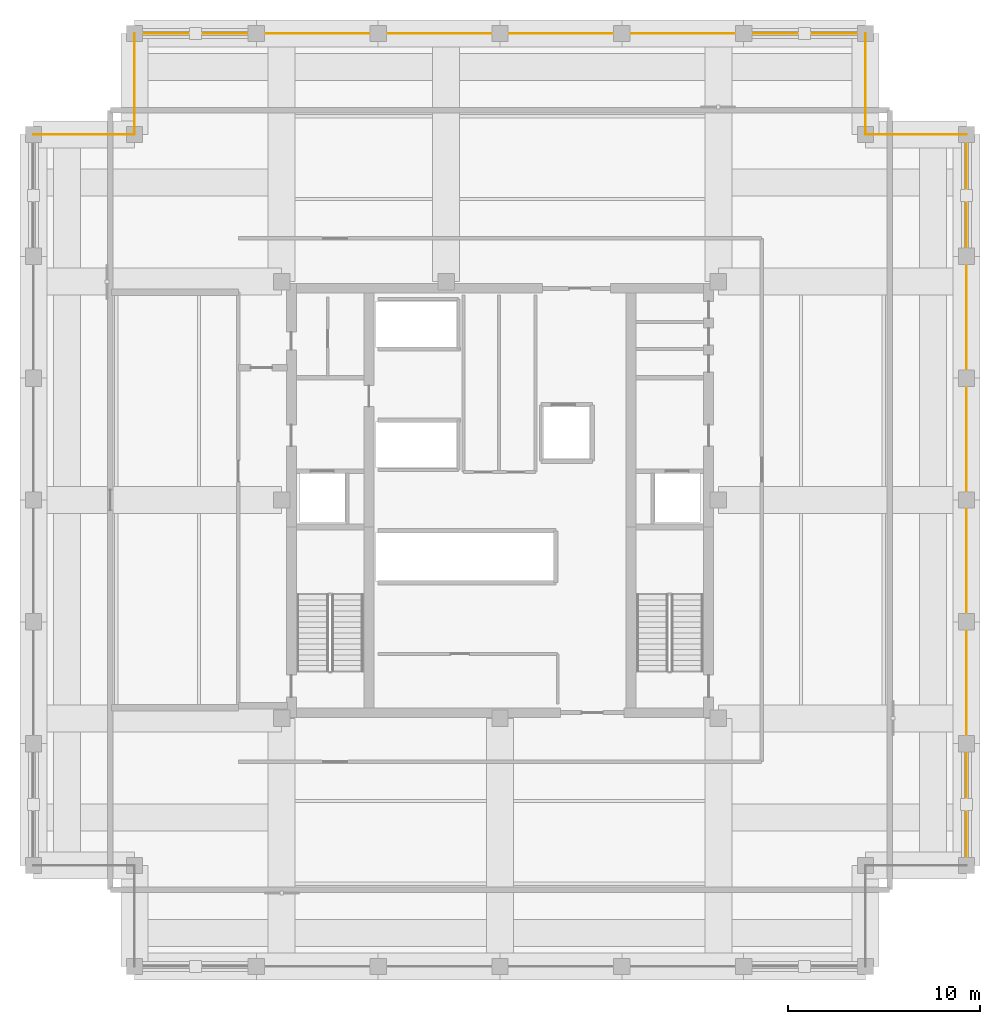
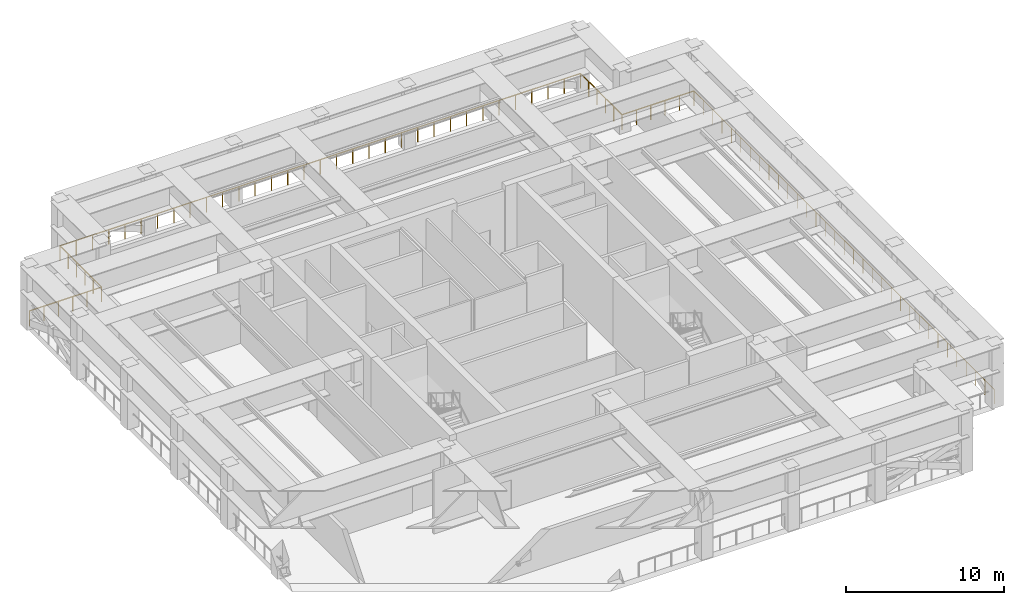
# One storey, part 10 of 10: 6 railings.
"""IFC4 building model written with IfcOpenShell, lengths in metres."""

from ifc_helpers import new_model, si_unit, direction, frame, origin, origin_2d, place, context, subcontext, project, spatial, circle, extrude, material, type_object, element, save


model = new_model("IFC4")

# Units and contexts
model_context = context("Model", 3, precision=1e-05, world=origin(), true_north=direction((0.0, 1.0)))
body_context = subcontext(model_context, "Body", "Model", "MODEL_VIEW")
ifc_project = project(units=[si_unit("LENGTHUNIT", "METRE"), si_unit("AREAUNIT", "SQUARE_METRE"), si_unit("VOLUMEUNIT", "CUBIC_METRE"), si_unit("PLANEANGLEUNIT", "RADIAN"), si_unit("MASSUNIT", "GRAM", prefix="KILO")], contexts=[model_context])

# Site, building, storey
site_placement = place(None, origin())
site = spatial("IfcSite", under=ifc_project, at=site_placement, CompositionType="ELEMENT")
building_placement = place(site_placement, origin())
building = spatial("IfcBuilding", under=site, at=building_placement, Name="Nhamokura Convention Tower", CompositionType="ELEMENT")
storey_placement = place(building_placement, frame((0.0, 0.0, 252.35009765625)))
storey = spatial("IfcBuildingStorey", under=building, at=storey_placement, Name="L62", CompositionType="ELEMENT", Elevation=252.35009765625)

# Railings
ifc_material = material(Name="Anodised bronze stainless steel", Category="steel")
railing_type = type_object("IfcRailingType", Name="TerraceGuardrail_1150", PredefinedType="GUARDRAIL", material=ifc_material)
railing_1_placement = place(storey_placement, frame((56.25, 13.0, 0.0)))
element("IfcRailing", 1, at=railing_1_placement, inside=storey, type_object=railing_type, Name="L62 Perimeter Guardrail 04", PredefinedType="GUARDRAIL", context=body_context, shape_type="SweptSolid", body=[
    extrude(circle(Radius=0.02392578125, at=origin_2d()), frame((0.0, 0.0, 1.1259765625), z_axis=(0.0, 1.0, 0.0), x_axis=(-1.0, 0.0, 0.0)), (0.0, 0.0, 1.0), 38.0),
    extrude(circle(Radius=0.02099609375, at=origin_2d()), origin(), (0.0, 0.0, 1.0), 1.101806640625),
    extrude(circle(Radius=0.02099609375, at=origin_2d()), frame((0.0, 1.1875, 0.0)), (0.0, 0.0, 1.0), 1.101806640625),
    extrude(circle(Radius=0.02099609375, at=origin_2d()), frame((0.0, 2.375, 0.0)), (0.0, 0.0, 1.0), 1.101806640625),
    extrude(circle(Radius=0.02099609375, at=origin_2d()), frame((0.0, 3.5625, 0.0)), (0.0, 0.0, 1.0), 1.101806640625),
    extrude(circle(Radius=0.02099609375, at=origin_2d()), frame((0.0, 4.75, 0.0)), (0.0, 0.0, 1.0), 1.101806640625),
    extrude(circle(Radius=0.02099609375, at=origin_2d()), frame((0.0, 5.9375, 0.0)), (0.0, 0.0, 1.0), 1.101806640625),
    extrude(circle(Radius=0.02099609375, at=origin_2d()), frame((0.0, 7.125, 0.0)), (0.0, 0.0, 1.0), 1.101806640625),
    extrude(circle(Radius=0.02099609375, at=origin_2d()), frame((0.0, 8.3125, 0.0)), (0.0, 0.0, 1.0), 1.101806640625),
    extrude(circle(Radius=0.02099609375, at=origin_2d()), frame((0.0, 9.5, 0.0)), (0.0, 0.0, 1.0), 1.101806640625),
    extrude(circle(Radius=0.02099609375, at=origin_2d()), frame((0.0, 10.6875, 0.0)), (0.0, 0.0, 1.0), 1.101806640625),
    extrude(circle(Radius=0.02099609375, at=origin_2d()), frame((0.0, 11.875, 0.0)), (0.0, 0.0, 1.0), 1.101806640625),
    extrude(circle(Radius=0.02099609375, at=origin_2d()), frame((0.0, 13.0625, 0.0)), (0.0, 0.0, 1.0), 1.101806640625),
    extrude(circle(Radius=0.02099609375, at=origin_2d()), frame((0.0, 14.25, 0.0)), (0.0, 0.0, 1.0), 1.101806640625),
    extrude(circle(Radius=0.02099609375, at=origin_2d()), frame((0.0, 15.4375, 0.0)), (0.0, 0.0, 1.0), 1.101806640625),
    extrude(circle(Radius=0.02099609375, at=origin_2d()), frame((0.0, 16.625, 0.0)), (0.0, 0.0, 1.0), 1.101806640625),
    extrude(circle(Radius=0.02099609375, at=origin_2d()), frame((0.0, 17.8125, 0.0)), (0.0, 0.0, 1.0), 1.101806640625),
    extrude(circle(Radius=0.02099609375, at=origin_2d()), frame((0.0, 19.0, 0.0)), (0.0, 0.0, 1.0), 1.101806640625),
    extrude(circle(Radius=0.02099609375, at=origin_2d()), frame((0.0, 20.1875, 0.0)), (0.0, 0.0, 1.0), 1.101806640625),
    extrude(circle(Radius=0.02099609375, at=origin_2d()), frame((0.0, 21.375, 0.0)), (0.0, 0.0, 1.0), 1.101806640625),
    extrude(circle(Radius=0.02099609375, at=origin_2d()), frame((0.0, 22.5625, 0.0)), (0.0, 0.0, 1.0), 1.101806640625),
    extrude(circle(Radius=0.02099609375, at=origin_2d()), frame((0.0, 23.75, 0.0)), (0.0, 0.0, 1.0), 1.101806640625),
    extrude(circle(Radius=0.02099609375, at=origin_2d()), frame((0.0, 24.9375, 0.0)), (0.0, 0.0, 1.0), 1.101806640625),
    extrude(circle(Radius=0.02099609375, at=origin_2d()), frame((0.0, 26.125, 0.0)), (0.0, 0.0, 1.0), 1.101806640625),
    extrude(circle(Radius=0.02099609375, at=origin_2d()), frame((0.0, 27.3125, 0.0)), (0.0, 0.0, 1.0), 1.101806640625),
    extrude(circle(Radius=0.02099609375, at=origin_2d()), frame((0.0, 28.5, 0.0)), (0.0, 0.0, 1.0), 1.101806640625),
    extrude(circle(Radius=0.02099609375, at=origin_2d()), frame((0.0, 29.6875, 0.0)), (0.0, 0.0, 1.0), 1.101806640625),
    extrude(circle(Radius=0.02099609375, at=origin_2d()), frame((0.0, 30.875, 0.0)), (0.0, 0.0, 1.0), 1.101806640625),
    extrude(circle(Radius=0.02099609375, at=origin_2d()), frame((0.0, 32.0625, 0.0)), (0.0, 0.0, 1.0), 1.101806640625),
    extrude(circle(Radius=0.02099609375, at=origin_2d()), frame((0.0, 33.25, 0.0)), (0.0, 0.0, 1.0), 1.101806640625),
    extrude(circle(Radius=0.02099609375, at=origin_2d()), frame((0.0, 34.4375, 0.0)), (0.0, 0.0, 1.0), 1.101806640625),
    extrude(circle(Radius=0.02099609375, at=origin_2d()), frame((0.0, 35.625, 0.0)), (0.0, 0.0, 1.0), 1.101806640625),
    extrude(circle(Radius=0.02099609375, at=origin_2d()), frame((0.0, 36.8125, 0.0)), (0.0, 0.0, 1.0), 1.101806640625),
    extrude(circle(Radius=0.02099609375, at=origin_2d()), frame((0.0, 38.0, 0.0)), (0.0, 0.0, 1.0), 1.101806640625),
])
railing_2_placement = place(storey_placement, frame((56.25, 51.0, 0.0)))
element("IfcRailing", 2, at=railing_2_placement, inside=storey, type_object=railing_type, Name="L62 Perimeter Guardrail 05", PredefinedType="GUARDRAIL", context=body_context, shape_type="SweptSolid", body=[
    extrude(circle(Radius=0.02392578125, at=origin_2d()), frame((0.0, 0.0, 1.1259765625), z_axis=(-1.0, 0.0, 0.0), x_axis=(0.0, -1.0, 0.0)), (0.0, 0.0, 1.0), 5.25),
    extrude(circle(Radius=0.02099609375, at=origin_2d()), origin(), (0.0, 0.0, 1.0), 1.101806640625),
    extrude(circle(Radius=0.02099609375, at=origin_2d()), frame((-1.050048828125, 0.0, 0.0)), (0.0, 0.0, 1.0), 1.101806640625),
    extrude(circle(Radius=0.02099609375, at=origin_2d()), frame((-2.10009765625, 0.0, 0.0)), (0.0, 0.0, 1.0), 1.101806640625),
    extrude(circle(Radius=0.02099609375, at=origin_2d()), frame((-3.14990234375, 0.0, 0.0)), (0.0, 0.0, 1.0), 1.101806640625),
    extrude(circle(Radius=0.02099609375, at=origin_2d()), frame((-4.199951171875, 0.0, 0.0)), (0.0, 0.0, 1.0), 1.101806640625),
    extrude(circle(Radius=0.02099609375, at=origin_2d()), frame((-5.25, 0.0, 0.0)), (0.0, 0.0, 1.0), 1.101806640625),
])
railing_3_placement = place(storey_placement, frame((51.0, 51.0, 0.0)))
element("IfcRailing", 3, at=railing_3_placement, inside=storey, type_object=railing_type, Name="L62 Perimeter Guardrail 06", PredefinedType="GUARDRAIL", context=body_context, shape_type="SweptSolid", body=[
    extrude(circle(Radius=0.02392578125, at=origin_2d()), frame((0.0, 0.0, 1.1259765625), z_axis=(0.0, 1.0, 0.0), x_axis=(-1.0, 0.0, 0.0)), (0.0, 0.0, 1.0), 5.25),
    extrude(circle(Radius=0.02099609375, at=origin_2d()), origin(), (0.0, 0.0, 1.0), 1.101806640625),
    extrude(circle(Radius=0.02099609375, at=origin_2d()), frame((0.0, 1.050048828125, 0.0)), (0.0, 0.0, 1.0), 1.101806640625),
    extrude(circle(Radius=0.02099609375, at=origin_2d()), frame((0.0, 2.10009765625, 0.0)), (0.0, 0.0, 1.0), 1.101806640625),
    extrude(circle(Radius=0.02099609375, at=origin_2d()), frame((0.0, 3.14990234375, 0.0)), (0.0, 0.0, 1.0), 1.101806640625),
    extrude(circle(Radius=0.02099609375, at=origin_2d()), frame((0.0, 4.199951171875, 0.0)), (0.0, 0.0, 1.0), 1.101806640625),
    extrude(circle(Radius=0.02099609375, at=origin_2d()), frame((0.0, 5.25, 0.0)), (0.0, 0.0, 1.0), 1.101806640625),
])
railing_4_placement = place(storey_placement, frame((51.0, 56.25, 0.0)))
element("IfcRailing", 4, at=railing_4_placement, inside=storey, type_object=railing_type, Name="L62 Perimeter Guardrail 07", PredefinedType="GUARDRAIL", context=body_context, shape_type="SweptSolid", body=[
    extrude(circle(Radius=0.02392578125, at=origin_2d()), frame((0.0, 0.0, 1.1259765625), z_axis=(-1.0, 0.0, 0.0), x_axis=(0.0, -1.0, 0.0)), (0.0, 0.0, 1.0), 38.0),
    extrude(circle(Radius=0.02099609375, at=origin_2d()), origin(), (0.0, 0.0, 1.0), 1.101806640625),
    extrude(circle(Radius=0.02099609375, at=origin_2d()), frame((-1.1875, 0.0, 0.0)), (0.0, 0.0, 1.0), 1.101806640625),
    extrude(circle(Radius=0.02099609375, at=origin_2d()), frame((-2.375, 0.0, 0.0)), (0.0, 0.0, 1.0), 1.101806640625),
    extrude(circle(Radius=0.02099609375, at=origin_2d()), frame((-3.5625, 0.0, 0.0)), (0.0, 0.0, 1.0), 1.101806640625),
    extrude(circle(Radius=0.02099609375, at=origin_2d()), frame((-4.75, 0.0, 0.0)), (0.0, 0.0, 1.0), 1.101806640625),
    extrude(circle(Radius=0.02099609375, at=origin_2d()), frame((-5.9375, 0.0, 0.0)), (0.0, 0.0, 1.0), 1.101806640625),
    extrude(circle(Radius=0.02099609375, at=origin_2d()), frame((-7.125, 0.0, 0.0)), (0.0, 0.0, 1.0), 1.101806640625),
    extrude(circle(Radius=0.02099609375, at=origin_2d()), frame((-8.3125, 0.0, 0.0)), (0.0, 0.0, 1.0), 1.101806640625),
    extrude(circle(Radius=0.02099609375, at=origin_2d()), frame((-9.5, 0.0, 0.0)), (0.0, 0.0, 1.0), 1.101806640625),
    extrude(circle(Radius=0.02099609375, at=origin_2d()), frame((-10.6875, 0.0, 0.0)), (0.0, 0.0, 1.0), 1.101806640625),
    extrude(circle(Radius=0.02099609375, at=origin_2d()), frame((-11.875, 0.0, 0.0)), (0.0, 0.0, 1.0), 1.101806640625),
    extrude(circle(Radius=0.02099609375, at=origin_2d()), frame((-13.0625, 0.0, 0.0)), (0.0, 0.0, 1.0), 1.101806640625),
    extrude(circle(Radius=0.02099609375, at=origin_2d()), frame((-14.25, 0.0, 0.0)), (0.0, 0.0, 1.0), 1.101806640625),
    extrude(circle(Radius=0.02099609375, at=origin_2d()), frame((-15.4375, 0.0, 0.0)), (0.0, 0.0, 1.0), 1.101806640625),
    extrude(circle(Radius=0.02099609375, at=origin_2d()), frame((-16.625, 0.0, 0.0)), (0.0, 0.0, 1.0), 1.101806640625),
    extrude(circle(Radius=0.02099609375, at=origin_2d()), frame((-17.8125, 0.0, 0.0)), (0.0, 0.0, 1.0), 1.101806640625),
    extrude(circle(Radius=0.02099609375, at=origin_2d()), frame((-19.0, 0.0, 0.0)), (0.0, 0.0, 1.0), 1.101806640625),
    extrude(circle(Radius=0.02099609375, at=origin_2d()), frame((-20.1875, 0.0, 0.0)), (0.0, 0.0, 1.0), 1.101806640625),
    extrude(circle(Radius=0.02099609375, at=origin_2d()), frame((-21.375, 0.0, 0.0)), (0.0, 0.0, 1.0), 1.101806640625),
    extrude(circle(Radius=0.02099609375, at=origin_2d()), frame((-22.5625, 0.0, 0.0)), (0.0, 0.0, 1.0), 1.101806640625),
    extrude(circle(Radius=0.02099609375, at=origin_2d()), frame((-23.75, 0.0, 0.0)), (0.0, 0.0, 1.0), 1.101806640625),
    extrude(circle(Radius=0.02099609375, at=origin_2d()), frame((-24.9375, 0.0, 0.0)), (0.0, 0.0, 1.0), 1.101806640625),
    extrude(circle(Radius=0.02099609375, at=origin_2d()), frame((-26.125, 0.0, 0.0)), (0.0, 0.0, 1.0), 1.101806640625),
    extrude(circle(Radius=0.02099609375, at=origin_2d()), frame((-27.3125, 0.0, 0.0)), (0.0, 0.0, 1.0), 1.101806640625),
    extrude(circle(Radius=0.02099609375, at=origin_2d()), frame((-28.5, 0.0, 0.0)), (0.0, 0.0, 1.0), 1.101806640625),
    extrude(circle(Radius=0.02099609375, at=origin_2d()), frame((-29.6875, 0.0, 0.0)), (0.0, 0.0, 1.0), 1.101806640625),
    extrude(circle(Radius=0.02099609375, at=origin_2d()), frame((-30.875, 0.0, 0.0)), (0.0, 0.0, 1.0), 1.101806640625),
    extrude(circle(Radius=0.02099609375, at=origin_2d()), frame((-32.0625, 0.0, 0.0)), (0.0, 0.0, 1.0), 1.101806640625),
    extrude(circle(Radius=0.02099609375, at=origin_2d()), frame((-33.25, 0.0, 0.0)), (0.0, 0.0, 1.0), 1.101806640625),
    extrude(circle(Radius=0.02099609375, at=origin_2d()), frame((-34.4375, 0.0, 0.0)), (0.0, 0.0, 1.0), 1.101806640625),
    extrude(circle(Radius=0.02099609375, at=origin_2d()), frame((-35.625, 0.0, 0.0)), (0.0, 0.0, 1.0), 1.101806640625),
    extrude(circle(Radius=0.02099609375, at=origin_2d()), frame((-36.8125, 0.0, 0.0)), (0.0, 0.0, 1.0), 1.101806640625),
    extrude(circle(Radius=0.02099609375, at=origin_2d()), frame((-38.0, 0.0, 0.0)), (0.0, 0.0, 1.0), 1.101806640625),
])
railing_5_placement = place(storey_placement, frame((13.0, 56.25, 0.0)))
element("IfcRailing", 5, at=railing_5_placement, inside=storey, type_object=railing_type, Name="L62 Perimeter Guardrail 08", PredefinedType="GUARDRAIL", context=body_context, shape_type="SweptSolid", body=[
    extrude(circle(Radius=0.02392578125, at=origin_2d()), frame((0.0, 0.0, 1.1259765625), z_axis=(0.0, -1.0, 0.0), x_axis=(1.0, 0.0, 0.0)), (0.0, 0.0, 1.0), 5.25),
    extrude(circle(Radius=0.02099609375, at=origin_2d()), origin(), (0.0, 0.0, 1.0), 1.101806640625),
    extrude(circle(Radius=0.02099609375, at=origin_2d()), frame((0.0, -1.050048828125, 0.0)), (0.0, 0.0, 1.0), 1.101806640625),
    extrude(circle(Radius=0.02099609375, at=origin_2d()), frame((0.0, -2.10009765625, 0.0)), (0.0, 0.0, 1.0), 1.101806640625),
    extrude(circle(Radius=0.02099609375, at=origin_2d()), frame((0.0, -3.14990234375, 0.0)), (0.0, 0.0, 1.0), 1.101806640625),
    extrude(circle(Radius=0.02099609375, at=origin_2d()), frame((0.0, -4.199951171875, 0.0)), (0.0, 0.0, 1.0), 1.101806640625),
    extrude(circle(Radius=0.02099609375, at=origin_2d()), frame((0.0, -5.25, 0.0)), (0.0, 0.0, 1.0), 1.101806640625),
])
railing_6_placement = place(storey_placement, frame((13.0, 51.0, 0.0)))
element("IfcRailing", 6, at=railing_6_placement, inside=storey, type_object=railing_type, Name="L62 Perimeter Guardrail 09", PredefinedType="GUARDRAIL", context=body_context, shape_type="SweptSolid", body=[
    extrude(circle(Radius=0.02392578125, at=origin_2d()), frame((0.0, 0.0, 1.1259765625), z_axis=(-1.0, 0.0, 0.0), x_axis=(0.0, -1.0, 0.0)), (0.0, 0.0, 1.0), 5.25),
    extrude(circle(Radius=0.02099609375, at=origin_2d()), origin(), (0.0, 0.0, 1.0), 1.101806640625),
    extrude(circle(Radius=0.02099609375, at=origin_2d()), frame((-1.050048828125, 0.0, 0.0)), (0.0, 0.0, 1.0), 1.101806640625),
    extrude(circle(Radius=0.02099609375, at=origin_2d()), frame((-2.10009765625, 0.0, 0.0)), (0.0, 0.0, 1.0), 1.101806640625),
    extrude(circle(Radius=0.02099609375, at=origin_2d()), frame((-3.14990234375, 0.0, 0.0)), (0.0, 0.0, 1.0), 1.101806640625),
    extrude(circle(Radius=0.02099609375, at=origin_2d()), frame((-4.199951171875, 0.0, 0.0)), (0.0, 0.0, 1.0), 1.101806640625),
    extrude(circle(Radius=0.02099609375, at=origin_2d()), frame((-5.25, 0.0, 0.0)), (0.0, 0.0, 1.0), 1.101806640625),
])

save(model, "model.ifc")
